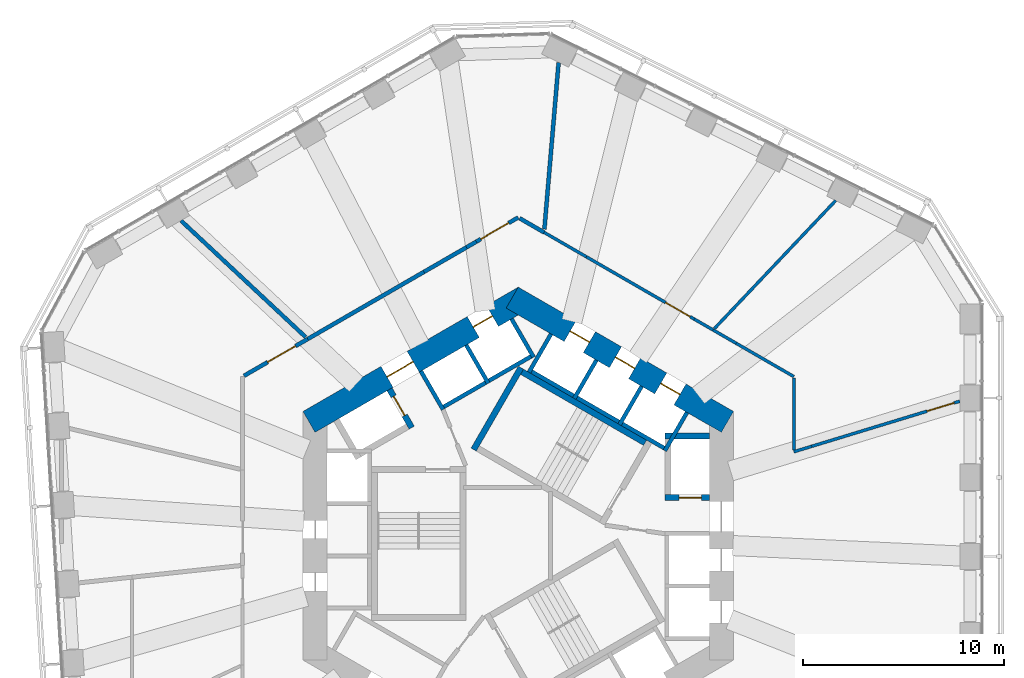
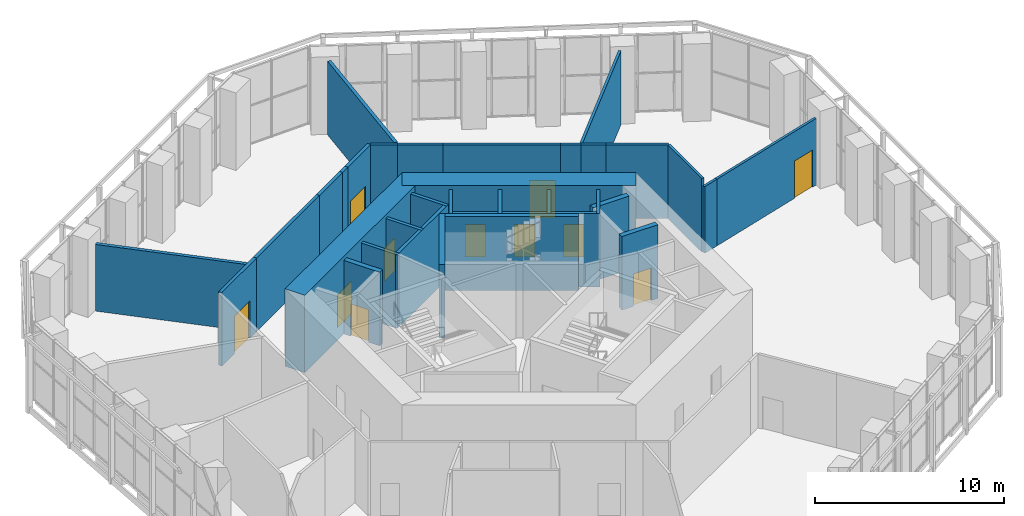
# One storey, part 15 of 19: 33 walls, 11 doors, 11 openings.
"""IFC4 building model written with IfcOpenShell, lengths in metres."""

from ifc_helpers import new_model, si_unit, direction, frame, frame_2d, origin, place, context, subcontext, project, spatial, rectangle, extrude, material, layer, layer_set, type_object, element, fill, save


model = new_model("IFC4")

# Units and contexts
model_context = context("Model", 3, precision=1e-05, world=origin(), true_north=direction((0.0, 1.0)))
body_context = subcontext(model_context, "Body", "Model", "MODEL_VIEW")
ifc_project = project(units=[si_unit("LENGTHUNIT", "METRE"), si_unit("AREAUNIT", "SQUARE_METRE"), si_unit("VOLUMEUNIT", "CUBIC_METRE"), si_unit("PLANEANGLEUNIT", "RADIAN"), si_unit("MASSUNIT", "GRAM", prefix="KILO")], contexts=[model_context])

# Site, building, storey
site_placement = place(None, origin())
site = spatial("IfcSite", under=ifc_project, at=site_placement, CompositionType="ELEMENT")
building_placement = place(site_placement, origin())
building = spatial("IfcBuilding", under=site, at=building_placement, Name="Vanh Sen Convention Tower", CompositionType="ELEMENT")
storey_placement = place(building_placement, frame((0.0, 0.0, 39.0)))
storey = spatial("IfcBuildingStorey", under=building, at=storey_placement, Name="L06", CompositionType="ELEMENT", Elevation=39.0)

# Wall, openings, doors
ifc_material_1 = material(Name="Concrete C80/95", Category="concrete")
ifc_layer_1 = layer(ifc_material_1, 1.199951171875)
ifc_layer_set_1 = layer_set([ifc_layer_1], Name="Concrete C80/95")
wall_type_1 = type_object("IfcWallType", Name="Core outer wall 1200 C80/95", PredefinedType="SHEAR", material=ifc_layer_set_1)
wall_1_placement = place(storey_placement, frame((10.39990234375, 5.657958984375, 0.0), z_axis=(0.0, 0.0, 1.0), x_axis=(-0.866021384402, 0.500006961711, 0.0)))
wall_1 = element("IfcWall", 1, at=wall_1_placement, inside=storey, type_object=wall_type_1, Name="Core wall face NE L06", PredefinedType="SHEAR", context=body_context, shape_type="SweptSolid", body=[
    extrude(rectangle(XDim=12.355224609375, YDim=1.199951171875, at=frame_2d((6.177734375, 0.0))), origin(), (0.0, 0.0, 1.0), 5.0),
])
opening_1_placement = place(wall_1_placement, frame((2.727783203125, 0.0, 0.0)))
opening_1 = element("IfcOpeningElement", 2, at=opening_1_placement, cuts=wall_1, Name="Opening LD-LR3", PredefinedType="OPENING", context=body_context, shape_type="SweptSolid", body=[
    extrude(rectangle(XDim=1.10009765625, YDim=2.10009765625, at=frame_2d((0.550048828125, 1.050048828125))), frame((0.0, 0.60986328125, 0.0), z_axis=(0.0, -1.0, 0.0), x_axis=(1.0, 0.0, 0.0)), (0.0, 0.0, 1.0), 1.219970703125),
])
opening_2_placement = place(wall_1_placement, frame((5.32763671875, 0.0, 0.0)))
opening_2 = element("IfcOpeningElement", 3, at=opening_2_placement, cuts=wall_1, Name="Opening LD-LR4", PredefinedType="OPENING", context=body_context, shape_type="SweptSolid", body=[
    extrude(rectangle(XDim=1.10009765625, YDim=2.10009765625, at=frame_2d((0.550048828125, 1.050048828125))), frame((0.0, 0.60986328125, 0.0), z_axis=(0.0, -1.0, 0.0), x_axis=(1.0, 0.0, 0.0)), (0.0, 0.0, 1.0), 1.219970703125),
])
opening_3_placement = place(wall_1_placement, frame((7.927734375, 0.0, 0.0)))
opening_3 = element("IfcOpeningElement", 4, at=opening_3_placement, cuts=wall_1, Name="Opening LD-LR5", PredefinedType="OPENING", context=body_context, shape_type="SweptSolid", body=[
    extrude(rectangle(XDim=1.10009765625, YDim=2.10009765625, at=frame_2d((0.550048828125, 1.050048828125))), frame((0.0, 0.60986328125, 0.0), z_axis=(0.0, -1.0, 0.0), x_axis=(1.0, 0.0, 0.0)), (0.0, 0.0, 1.0), 1.219970703125),
])
ifc_material_2 = material(Name="Stainless steel", Category="steel")
door_type_1 = type_object("IfcDoorType", Name="Lift landing door 1100", OperationType="DOUBLE_DOOR_SLIDING", PredefinedType="DOOR", material=ifc_material_2)
door_1_placement = place(opening_1_placement, origin())
door_1 = element("IfcDoor", 5, at=door_1_placement, inside=storey, type_object=door_type_1, Name="Lift LR3 landing door LD-LR3", OperationType="DOUBLE_DOOR_SLIDING", OverallHeight=2.10009765625, OverallWidth=1.10009765625, PredefinedType="DOOR", context=body_context, shape_type="SweptSolid", body=[
    extrude(rectangle(XDim=1.10009765625, YDim=2.10009765625, at=frame_2d((0.550048828125, 1.050048828125))), frame((0.0, 0.02490234375, 0.0), z_axis=(0.0, -1.0, 0.0), x_axis=(1.0, 0.0, 0.0)), (0.0, 0.0, 1.0), 0.050048828125),
])
fill(opening_1, door_1)
door_2_placement = place(opening_2_placement, origin())
door_2 = element("IfcDoor", 6, at=door_2_placement, inside=storey, type_object=door_type_1, Name="Lift LR4 landing door LD-LR4", OperationType="DOUBLE_DOOR_SLIDING", OverallHeight=2.10009765625, OverallWidth=1.10009765625, PredefinedType="DOOR", context=body_context, shape_type="SweptSolid", body=[
    extrude(rectangle(XDim=1.10009765625, YDim=2.10009765625, at=frame_2d((0.550048828125, 1.050048828125))), frame((0.0, 0.02490234375, 0.0), z_axis=(0.0, -1.0, 0.0), x_axis=(1.0, 0.0, 0.0)), (0.0, 0.0, 1.0), 0.050048828125),
])
fill(opening_2, door_2)
door_3_placement = place(opening_3_placement, origin())
door_3 = element("IfcDoor", 7, at=door_3_placement, inside=storey, type_object=door_type_1, Name="Lift LR5 landing door LD-LR5", OperationType="DOUBLE_DOOR_SLIDING", OverallHeight=2.10009765625, OverallWidth=1.10009765625, PredefinedType="DOOR", context=body_context, shape_type="SweptSolid", body=[
    extrude(rectangle(XDim=1.10009765625, YDim=2.10009765625, at=frame_2d((0.550048828125, 1.050048828125))), frame((0.0, 0.02490234375, 0.0), z_axis=(0.0, -1.0, 0.0), x_axis=(1.0, 0.0, 0.0)), (0.0, 0.0, 1.0), 0.050048828125),
])
fill(opening_3, door_3)

wall_2_placement = place(storey_placement, frame((0.300048828125, 11.835693359375, 0.0), z_axis=(0.0, 0.0, 1.0), x_axis=(-0.866021384402, -0.500006961711, 0.0)))
wall_2 = element("IfcWall", 8, at=wall_2_placement, inside=storey, type_object=wall_type_1, Name="Core wall face NW L06", PredefinedType="SHEAR", context=body_context, shape_type="SweptSolid", body=[
    extrude(rectangle(XDim=12.355224609375, YDim=1.199951171875, at=frame_2d((6.177734375, 0.0))), origin(), (0.0, 0.0, 1.0), 5.0),
])
opening_4_placement = place(wall_2_placement, frame((6.377685546875, 0.0, 0.0)))
opening_4 = element("IfcOpeningElement", 9, at=opening_4_placement, cuts=wall_2, Name="Opening D06002", PredefinedType="OPENING", context=body_context, shape_type="SweptSolid", body=[
    extrude(rectangle(XDim=1.5, YDim=2.10009765625, at=frame_2d((0.75, 1.050048828125))), frame((0.0, 0.60986328125, 0.0), z_axis=(0.0, -1.0, 0.0), x_axis=(1.0, 0.0, 0.0)), (0.0, 0.0, 1.0), 1.219970703125),
])
opening_5_placement = place(wall_2_placement, frame((1.82763671875, 0.0, 0.0)))
opening_5 = element("IfcOpeningElement", 10, at=opening_5_placement, cuts=wall_2, Name="Opening LD-LR6", PredefinedType="OPENING", context=body_context, shape_type="SweptSolid", body=[
    extrude(rectangle(XDim=1.10009765625, YDim=2.10009765625, at=frame_2d((0.550048828125, 1.050048828125))), frame((0.0, 0.60986328125, 0.0), z_axis=(0.0, -1.0, 0.0), x_axis=(1.0, 0.0, 0.0)), (0.0, 0.0, 1.0), 1.219970703125),
])
door_4_placement = place(opening_5_placement, origin())
door_4 = element("IfcDoor", 11, at=door_4_placement, inside=storey, type_object=door_type_1, Name="Lift LR6 landing door LD-LR6", OperationType="DOUBLE_DOOR_SLIDING", OverallHeight=2.10009765625, OverallWidth=1.10009765625, PredefinedType="DOOR", context=body_context, shape_type="SweptSolid", body=[
    extrude(rectangle(XDim=1.10009765625, YDim=2.10009765625, at=frame_2d((0.550048828125, 1.050048828125))), frame((0.0, 0.02490234375, 0.0), z_axis=(0.0, -1.0, 0.0), x_axis=(1.0, 0.0, 0.0)), (0.0, 0.0, 1.0), 0.050048828125),
])
fill(opening_5, door_4)
ifc_material_3 = material(Name="Steel S355", Category="steel")
door_type_2 = type_object("IfcDoorType", Name="Stair lobby door 1500", OperationType="DOUBLE_DOOR_SINGLE_SWING", PredefinedType="DOOR", material=ifc_material_3)
door_5_placement = place(opening_4_placement, origin())
door_5 = element("IfcDoor", 12, at=door_5_placement, inside=storey, type_object=door_type_2, Name="Stair lobby door D06002", OperationType="DOUBLE_DOOR_SINGLE_SWING", OverallHeight=2.10009765625, OverallWidth=1.5, PredefinedType="DOOR", context=body_context, shape_type="SweptSolid", body=[
    extrude(rectangle(XDim=1.5, YDim=2.10009765625, at=frame_2d((0.75, 1.050048828125))), frame((0.0, 0.02490234375, 0.0), z_axis=(0.0, -1.0, 0.0), x_axis=(1.0, 0.0, 0.0)), (0.0, 0.0, 1.0), 0.050048828125),
])
fill(opening_4, door_5)

# Wall, opening, door
ifc_material_4 = material(Name="Concrete C60/75", Category="concrete")
ifc_layer_2 = layer(ifc_material_4, 0.300048828125)
ifc_layer_set_2 = layer_set([ifc_layer_2], Name="Concrete C60/75")
wall_type_2 = type_object("IfcWallType", Name="Fire-fighting lift shaft wall 300", PredefinedType="SHEAR", material=ifc_layer_set_2)
wall_3_placement = place(storey_placement, frame((7.300048828125, 1.89990234375, 0.0), z_axis=(0.0, 0.0, 1.0), x_axis=(1.0, 0.0, 0.0)))
wall_3 = element("IfcWall", 13, at=wall_3_placement, inside=storey, type_object=wall_type_2, Name="Fire-fighting lift shaft wall L06", PredefinedType="SHEAR", context=body_context, shape_type="SweptSolid", body=[
    extrude(rectangle(XDim=2.199951171875, YDim=0.300048828125, at=frame_2d((1.10009765625, 0.0))), origin(), (0.0, 0.0, 1.0), 4.75),
])
opening_6_placement = place(wall_3_placement, frame((0.699951171875, 0.0, 0.0)))
opening_6 = element("IfcOpeningElement", 14, at=opening_6_placement, cuts=wall_3, Name="Opening LD-FF1", PredefinedType="OPENING", context=body_context, shape_type="SweptSolid", body=[
    extrude(rectangle(XDim=1.10009765625, YDim=2.10009765625, at=frame_2d((0.550048828125, 1.050048828125))), frame((0.0, 0.159912109375, 0.0), z_axis=(0.0, -1.0, 0.0), x_axis=(1.0, 0.0, 0.0)), (0.0, 0.0, 1.0), 0.320068359375),
])
door_type_3 = type_object("IfcDoorType", Name="Fire-fighting lift landing door 1100", OperationType="DOUBLE_DOOR_SLIDING", PredefinedType="DOOR", material=ifc_material_2)
door_6_placement = place(opening_6_placement, origin())
door_6 = element("IfcDoor", 15, at=door_6_placement, inside=storey, type_object=door_type_3, Name="Lift FF1 landing door LD-FF1", OperationType="DOUBLE_DOOR_SLIDING", OverallHeight=2.10009765625, OverallWidth=1.10009765625, PredefinedType="DOOR", context=body_context, shape_type="SweptSolid", body=[
    extrude(rectangle(XDim=1.10009765625, YDim=2.10009765625, at=frame_2d((0.550048828125, 1.050048828125))), frame((0.0, 0.02490234375, 0.0), z_axis=(0.0, -1.0, 0.0), x_axis=(1.0, 0.0, 0.0)), (0.0, 0.0, 1.0), 0.050048828125),
])
fill(opening_6, door_6)

# Wall
wall_4_placement = place(storey_placement, frame((7.300048828125, 4.949951171875, 0.0), z_axis=(0.0, 0.0, 1.0), x_axis=(1.0, 0.0, 0.0)))
element("IfcWall", 16, at=wall_4_placement, inside=storey, type_object=wall_type_2, Name="Fire-fighting lift shaft wall L06", PredefinedType="SHEAR", context=body_context, shape_type="SweptSolid", body=[
    extrude(rectangle(XDim=2.199951171875, YDim=0.300048828125, at=frame_2d((1.10009765625, 0.0))), origin(), (0.0, 0.0, 1.0), 4.75),
])

# Wall, opening, door
wall_5_placement = place(storey_placement, frame((-5.29541015625, 5.3720703125, 0.0), z_axis=(0.0, 0.0, 1.0), x_axis=(-0.500077893725, 0.86598042715, 0.0)))
wall_5 = element("IfcWall", 17, at=wall_5_placement, inside=storey, type_object=wall_type_2, Name="Fire-fighting lift shaft wall L06", PredefinedType="SHEAR", context=body_context, shape_type="SweptSolid", body=[
    extrude(rectangle(XDim=2.199951171875, YDim=0.300048828125, at=frame_2d((1.10009765625, 0.0))), origin(), (0.0, 0.0, 1.0), 4.75),
])
opening_7_placement = place(wall_5_placement, frame((0.699951171875, 0.0, 0.0)))
opening_7 = element("IfcOpeningElement", 18, at=opening_7_placement, cuts=wall_5, Name="Opening LD-FF2", PredefinedType="OPENING", context=body_context, shape_type="SweptSolid", body=[
    extrude(rectangle(XDim=1.10009765625, YDim=2.10009765625, at=frame_2d((0.550048828125, 1.050048828125))), frame((0.0, 0.159912109375, 0.0), z_axis=(0.0, -1.0, 0.0), x_axis=(1.0, 0.0, 0.0)), (0.0, 0.0, 1.0), 0.320068359375),
])
door_7_placement = place(opening_7_placement, origin())
door_7 = element("IfcDoor", 19, at=door_7_placement, inside=storey, type_object=door_type_3, Name="Lift FF2 landing door LD-FF2", OperationType="DOUBLE_DOOR_SLIDING", OverallHeight=2.10009765625, OverallWidth=1.10009765625, PredefinedType="DOOR", context=body_context, shape_type="SweptSolid", body=[
    extrude(rectangle(XDim=1.10009765625, YDim=2.10009765625, at=frame_2d((0.550048828125, 1.050048828125))), frame((0.0, 0.02490234375, 0.0), z_axis=(0.0, -1.0, 0.0), x_axis=(1.0, 0.0, 0.0)), (0.0, 0.0, 1.0), 0.050048828125),
])
fill(opening_7, door_7)

# Walls
ifc_material_5 = material(Name="Concrete C40/50", Category="concrete")
ifc_layer_3 = layer(ifc_material_5, 0.199951171875)
ifc_layer_set_3 = layer_set([ifc_layer_3], Name="Concrete C40/50")
wall_type_3 = type_object("IfcWallType", Name="Lift shaft wall 200", PredefinedType="PARTITIONING", material=ifc_layer_set_3)
wall_6_placement = place(storey_placement, frame((7.423828125, 4.258544921875, 0.0), z_axis=(0.0, 0.0, 1.0), x_axis=(-0.866026010844, 0.49999894854, 0.0)))
element("IfcWall", 20, at=wall_6_placement, inside=storey, type_object=wall_type_3, Name="Lift shaft wall L06", PredefinedType="PARTITIONING", context=body_context, shape_type="SweptSolid", body=[
    extrude(rectangle(XDim=8.0, YDim=0.199951171875, at=frame_2d((4.0, 0.0))), origin(), (0.0, 0.0, 1.0), 4.75),
])
for number, where, z_axis, x_axis, name in (
    (21, (7.287353515625, 4.221923828125, 0.0), (0.0, 0.0, 1.0), (0.499946605688, 0.86605622881, 0.0), "Lift shaft wall L06"),
    (22, (5.03564453125, 5.52197265625, 0.0), (0.0, 0.0, 1.0), (0.499946605688, 0.86605622881, 0.0), "Lift shaft wall L06"),
    (23, (2.783935546875, 6.822021484375, 0.0), (0.0, 0.0, 1.0), (0.50002983664, 0.866008176907, 0.0), "Lift shaft wall L06"),
    (24, (0.5322265625, 8.1220703125, 0.0), (0.0, 0.0, 1.0), (0.500077893725, 0.86598042715, 0.0), "Lift shaft wall L06"),
):
    element("IfcWall", number, at=place(storey_placement, frame(where, z_axis=z_axis, x_axis=x_axis)), inside=storey, type_object=wall_type_3, Name=name, PredefinedType="PARTITIONING", context=body_context, shape_type="SweptSolid", body=[
        extrude(rectangle(XDim=2.199951171875, YDim=0.199951171875, at=frame_2d((1.10009765625, 0.0))), origin(), (0.0, 0.0, 1.0), 4.75),
    ])
wall_7_placement = place(storey_placement, frame((0.80322265625, 9.008544921875, 0.0), z_axis=(0.0, 0.0, 1.0), x_axis=(-0.866028230842, -0.499995103361, 0.0)))
element("IfcWall", 25, at=wall_7_placement, inside=storey, type_object=wall_type_3, Name="Lift shaft wall L06", PredefinedType="PARTITIONING", context=body_context, shape_type="SweptSolid", body=[
    extrude(rectangle(XDim=5.39990234375, YDim=0.199951171875, at=frame_2d((2.699951171875, 0.0))), origin(), (0.0, 0.0, 1.0), 4.75),
])
wall_8_placement = place(storey_placement, frame((0.7666015625, 8.8720703125, 0.0), z_axis=(0.0, 0.0, 1.0), x_axis=(-0.499994660107, 0.866028486751, 0.0)))
element("IfcWall", 26, at=wall_8_placement, inside=storey, type_object=wall_type_3, Name="Lift shaft wall L06", PredefinedType="PARTITIONING", context=body_context, shape_type="SweptSolid", body=[
    extrude(rectangle(XDim=2.19970703125, YDim=0.199951171875, at=frame_2d((1.099853515625, 0.0))), origin(), (0.0, 0.0, 1.0), 4.75),
])
for number, where, z_axis, x_axis, name in (
    (27, (-1.48486328125, 7.572021484375, 0.0), (0.0, 0.0, 1.0), (-0.50002983664, 0.866008176907, 0.0), "Lift shaft wall L06"),
    (28, (-3.736572265625, 6.27197265625, 0.0), (0.0, 0.0, 1.0), (-0.50002983664, 0.866008176907, 0.0), "Lift shaft wall L06"),
):
    element("IfcWall", number, at=place(storey_placement, frame(where, z_axis=z_axis, x_axis=x_axis)), inside=storey, type_object=wall_type_3, Name=name, PredefinedType="PARTITIONING", context=body_context, shape_type="SweptSolid", body=[
        extrude(rectangle(XDim=2.199951171875, YDim=0.199951171875, at=frame_2d((1.10009765625, 0.0))), origin(), (0.0, 0.0, 1.0), 4.75),
    ])
ifc_material_6 = material(Name="Gypsum board on steel studs", Category="steel")
ifc_layer_4 = layer(ifc_material_6, 0.14990234375)
ifc_layer_set_4 = layer_set([ifc_layer_4], Name="Gypsum board on steel studs")
wall_type_4 = type_object("IfcWallType", Name="Partition 150 EI 60", PredefinedType="PARTITIONING", material=ifc_layer_set_4)
wall_9_placement = place(storey_placement, frame((14.592529296875, 4.445556640625, 0.0), z_axis=(0.0, 0.0, 1.0), x_axis=(-0.956578767646, -0.291473946159, 0.0)))
element("IfcWall", 29, at=wall_9_placement, inside=storey, type_object=wall_type_4, Name="Partition L06-031", PredefinedType="PARTITIONING", context=body_context, shape_type="SweptSolid", body=[
    extrude(rectangle(XDim=0.93310546875, YDim=0.14990234375, at=frame_2d((0.466552734375, 0.0))), origin(), (0.0, 0.0, 1.0), 4.300048828125),
])

# Wall, opening, door
wall_10_placement = place(storey_placement, frame((14.592529296875, 4.445556640625, 0.0), z_axis=(0.0, 0.0, 1.0), x_axis=(0.956592729621, 0.291428120874, 0.0)))
wall_10 = element("IfcWall", 30, at=wall_10_placement, inside=storey, type_object=wall_type_4, Name="Partition L06-032", PredefinedType="PARTITIONING", context=body_context, shape_type="SweptSolid", body=[
    extrude(rectangle(XDim=7.691162109375, YDim=0.14990234375, at=frame_2d((3.845703125, 0.0))), origin(), (0.0, 0.0, 1.0), 4.300048828125),
])
opening_8_placement = place(wall_10_placement, frame((5.991455078125, 0.0, 0.0)))
opening_8 = element("IfcOpeningElement", 31, at=opening_8_placement, cuts=wall_10, Name="Opening D06107", PredefinedType="OPENING", context=body_context, shape_type="SweptSolid", body=[
    extrude(rectangle(XDim=1.39990234375, YDim=2.39990234375, at=frame_2d((0.699951171875, 1.199951171875))), frame((0.0, 0.0849609375, 0.0), z_axis=(0.0, -1.0, 0.0), x_axis=(1.0, 0.0, 0.0)), (0.0, 0.0, 1.0), 0.169921875),
])
ifc_material_7 = material(Name="Timber door in steel frame", Category="steel")
door_type_4 = type_object("IfcDoorType", Name="Double door 1400 EI 30", OperationType="SINGLE_SWING_LEFT", PredefinedType="DOOR", material=ifc_material_7)
door_8_placement = place(opening_8_placement, origin())
door_8 = element("IfcDoor", 32, at=door_8_placement, inside=storey, type_object=door_type_4, Name="Double door D06107", OperationType="SINGLE_SWING_LEFT", OverallHeight=2.39990234375, OverallWidth=1.39990234375, PredefinedType="DOOR", context=body_context, shape_type="SweptSolid", body=[
    extrude(rectangle(XDim=1.39990234375, YDim=2.39990234375, at=frame_2d((0.699951171875, 1.199951171875))), frame((0.0, 0.02490234375, 0.0), z_axis=(0.0, -1.0, 0.0), x_axis=(1.0, 0.0, 0.0)), (0.0, 0.0, 1.0), 0.050048828125),
])
fill(opening_8, door_8)

# Walls
wall_11_placement = place(storey_placement, frame((13.699951171875, 7.849609375, 0.0), z_axis=(0.0, 0.0, 1.0), x_axis=(0.0, -1.0, 0.0)))
element("IfcWall", 33, at=wall_11_placement, inside=storey, type_object=wall_type_4, Name="Partition L06-034", PredefinedType="PARTITIONING", context=body_context, shape_type="SweptSolid", body=[
    extrude(rectangle(XDim=3.576171875, YDim=0.14990234375, at=frame_2d((1.7880859375, 0.0))), origin(), (0.0, 0.0, 1.0), 4.75),
])
wall_12_placement = place(storey_placement, frame((13.699951171875, 7.909423828125, 0.0), z_axis=(0.0, 0.0, 1.0), x_axis=(-0.866014848099, 0.500018282537, 0.0)))
element("IfcWall", 34, at=wall_12_placement, inside=storey, type_object=wall_type_4, Name="Partition L06-035", PredefinedType="PARTITIONING", context=body_context, shape_type="SweptSolid", body=[
    extrude(rectangle(XDim=3.31005859375, YDim=0.14990234375, at=frame_2d((1.655029296875, 0.0))), origin(), (0.0, 0.0, 1.0), 4.75),
])
wall_13_placement = place(storey_placement, frame((10.83349609375, 9.564453125, 0.0), z_axis=(0.0, 0.0, 1.0), x_axis=(-0.865989200783, 0.500062700197, 0.0)))
element("IfcWall", 35, at=wall_13_placement, inside=storey, type_object=wall_type_4, Name="Partition L06-036", PredefinedType="PARTITIONING", context=body_context, shape_type="SweptSolid", body=[
    extrude(rectangle(XDim=1.324951171875, YDim=0.14990234375, at=frame_2d((0.66259765625, 0.0))), origin(), (0.0, 0.0, 1.0), 4.75),
])
wall_14_placement = place(storey_placement, frame((9.68603515625, 10.22705078125, 0.0), z_axis=(0.0, 0.0, 1.0), x_axis=(-0.866065156741, 0.499931139538, 0.0)))
element("IfcWall", 36, at=wall_14_placement, inside=storey, type_object=wall_type_4, Name="Partition L06-040", PredefinedType="PARTITIONING", context=body_context, shape_type="SweptSolid", body=[
    extrude(rectangle(XDim=1.080322265625, YDim=0.14990234375, at=frame_2d((0.5400390625, 0.0))), origin(), (0.0, 0.0, 1.0), 4.75),
])
wall_15_placement = place(storey_placement, frame((9.754638671875, 10.299560546875, 0.0), z_axis=(0.0, 0.0, 1.0), x_axis=(0.687615543878, 0.72607497121, 0.0)))
element("IfcWall", 37, at=wall_15_placement, inside=storey, type_object=wall_type_4, Name="Partition L06-041", PredefinedType="PARTITIONING", context=body_context, shape_type="SweptSolid", body=[
    extrude(rectangle(XDim=8.76025390625, YDim=0.14990234375, at=frame_2d((4.380126953125, 0.0))), origin(), (0.0, 0.0, 1.0), 4.75),
])

# Wall, opening, door
wall_16_placement = place(storey_placement, frame((8.75048828125, 10.76708984375, 0.0), z_axis=(0.0, 0.0, 1.0), x_axis=(-0.866010341957, 0.500026086943, 0.0)))
wall_16 = element("IfcWall", 38, at=wall_16_placement, inside=storey, type_object=wall_type_4, Name="Partition L06-042", PredefinedType="PARTITIONING", context=body_context, shape_type="SweptSolid", body=[
    extrude(rectangle(XDim=6.194580078125, YDim=0.14990234375, at=frame_2d((3.09716796875, 0.0))), origin(), (0.0, 0.0, 1.0), 4.75),
])
opening_9_placement = place(wall_16_placement, frame((0.25, 0.0, 0.0)))
opening_9 = element("IfcOpeningElement", 39, at=opening_9_placement, cuts=wall_16, Name="Opening D06109", PredefinedType="OPENING", context=body_context, shape_type="SweptSolid", body=[
    extrude(rectangle(XDim=1.39990234375, YDim=2.39990234375, at=frame_2d((0.699951171875, 1.199951171875))), frame((0.0, 0.0849609375, 0.0), z_axis=(0.0, -1.0, 0.0), x_axis=(1.0, 0.0, 0.0)), (0.0, 0.0, 1.0), 0.169921875),
])
door_9_placement = place(opening_9_placement, origin())
door_9 = element("IfcDoor", 40, at=door_9_placement, inside=storey, type_object=door_type_4, Name="Double door D06109", OperationType="SINGLE_SWING_LEFT", OverallHeight=2.39990234375, OverallWidth=1.39990234375, PredefinedType="DOOR", context=body_context, shape_type="SweptSolid", body=[
    extrude(rectangle(XDim=1.39990234375, YDim=2.39990234375, at=frame_2d((0.699951171875, 1.199951171875))), frame((0.0, 0.02490234375, 0.0), z_axis=(0.0, -1.0, 0.0), x_axis=(1.0, 0.0, 0.0)), (0.0, 0.0, 1.0), 0.050048828125),
])
fill(opening_9, door_9)

# Wall
wall_17_placement = place(storey_placement, frame((1.28662109375, 15.076904296875, 0.0), z_axis=(0.0, 0.0, 1.0), x_axis=(0.865965872932, -0.500103096288, 0.0)))
element("IfcWall", 41, at=wall_17_placement, inside=storey, type_object=wall_type_4, Name="Partition L06-045", PredefinedType="PARTITIONING", context=body_context, shape_type="SweptSolid", body=[
    extrude(rectangle(XDim=2.42431640625, YDim=0.14990234375, at=frame_2d((1.212158203125, 0.0))), origin(), (0.0, 0.0, 1.0), 4.75),
])

# Wall, opening, door
ifc_material_8 = material(Name="Concrete C20/25", Category="concrete")
ifc_layer_5 = layer(ifc_material_8, 0.199951171875)
ifc_layer_set_5 = layer_set([ifc_layer_5], Name="Concrete C20/25")
wall_type_5 = type_object("IfcWallType", Name="Partition 200 EI 120", PredefinedType="PARTITIONING", material=ifc_layer_set_5)
wall_18_placement = place(storey_placement, frame((-10.464599609375, 9.777587890625, 0.0), z_axis=(0.0, 0.0, 1.0), x_axis=(-0.865998750002, -0.500046162864, 0.0)))
wall_18 = element("IfcWall", 42, at=wall_18_placement, inside=storey, type_object=wall_type_5, Name="Partition L06-037", PredefinedType="PARTITIONING", context=body_context, shape_type="SweptSolid", body=[
    extrude(rectangle(XDim=3.656005859375, YDim=0.199951171875, at=frame_2d((1.828125, 0.0))), origin(), (0.0, 0.0, 1.0), 4.75),
])
opening_10_placement = place(wall_18_placement, frame((0.699951171875, 0.0, 0.0)))
opening_10 = element("IfcOpeningElement", 43, at=opening_10_placement, cuts=wall_18, Name="Opening D06108", PredefinedType="OPENING", context=body_context, shape_type="SweptSolid", body=[
    extrude(rectangle(XDim=1.60009765625, YDim=2.39990234375, at=frame_2d((0.800048828125, 1.199951171875))), frame((0.0, 0.10986328125, 0.0), z_axis=(0.0, -1.0, 0.0), x_axis=(1.0, 0.0, 0.0)), (0.0, 0.0, 1.0), 0.219970703125),
])
door_type_5 = type_object("IfcDoorType", Name="Double door 1600 EI 60", OperationType="DOUBLE_DOOR_SINGLE_SWING", PredefinedType="DOOR", material=ifc_material_7)
door_10_placement = place(opening_10_placement, origin())
door_10 = element("IfcDoor", 44, at=door_10_placement, inside=storey, type_object=door_type_5, Name="Double door D06108", OperationType="DOUBLE_DOOR_SINGLE_SWING", OverallHeight=2.39990234375, OverallWidth=1.60009765625, PredefinedType="DOOR", context=body_context, shape_type="SweptSolid", body=[
    extrude(rectangle(XDim=1.60009765625, YDim=2.39990234375, at=frame_2d((0.800048828125, 1.199951171875))), frame((0.0, 0.02490234375, 0.0), z_axis=(0.0, -1.0, 0.0), x_axis=(1.0, 0.0, 0.0)), (0.0, 0.0, 1.0), 0.050048828125),
])
fill(opening_10, door_10)

# Walls
wall_19_placement = place(storey_placement, frame((-10.464599609375, 9.777587890625, 0.0), z_axis=(0.0, 0.0, 1.0), x_axis=(0.866019272134, 0.50001062018, 0.0)))
element("IfcWall", 45, at=wall_19_placement, inside=storey, type_object=wall_type_5, Name="Partition L06-038", PredefinedType="PARTITIONING", context=body_context, shape_type="SweptSolid", body=[
    extrude(rectangle(XDim=6.673583984375, YDim=0.199951171875, at=frame_2d((3.3369140625, 0.0))), origin(), (0.0, 0.0, 1.0), 4.75),
])
wall_20_placement = place(storey_placement, frame((-10.56689453125, 9.873291015625, 0.0), z_axis=(0.0, 0.0, 1.0), x_axis=(-0.730670474687, 0.682730296252, 0.0)))
element("IfcWall", 46, at=wall_20_placement, inside=storey, type_object=wall_type_5, Name="Partition L06-039", PredefinedType="PARTITIONING", context=body_context, shape_type="SweptSolid", body=[
    extrude(rectangle(XDim=8.484375, YDim=0.199951171875, at=frame_2d((4.2421875, 0.0))), origin(), (0.0, 0.0, 1.0), 4.300048828125),
])
wall_21_placement = place(storey_placement, frame((-4.68505859375, 13.114501953125, 0.0), z_axis=(0.0, 0.0, 1.0), x_axis=(0.86602886455, 0.49999400573, 0.0)))
element("IfcWall", 47, at=wall_21_placement, inside=storey, type_object=wall_type_5, Name="Partition L06-043", PredefinedType="PARTITIONING", context=body_context, shape_type="SweptSolid", body=[
    extrude(rectangle(XDim=2.4384765625, YDim=0.199951171875, at=frame_2d((1.21923828125, 0.0))), origin(), (0.0, 0.0, 1.0), 4.75),
])
wall_22_placement = place(storey_placement, frame((-2.5732421875, 14.333740234375, 0.0), z_axis=(0.0, 0.0, 1.0), x_axis=(0.866040790738, 0.499973348067, 0.0)))
element("IfcWall", 48, at=wall_22_placement, inside=storey, type_object=wall_type_5, Name="Partition L06-044", PredefinedType="PARTITIONING", context=body_context, shape_type="SweptSolid", body=[
    extrude(rectangle(XDim=0.5615234375, YDim=0.199951171875, at=frame_2d((0.28076171875, 0.0))), origin(), (0.0, 0.0, 1.0), 4.75),
])
wall_23_placement = place(storey_placement, frame((1.300048828125, 15.236328125, 0.0), z_axis=(0.0, 0.0, 1.0), x_axis=(0.085009958898, 0.996380101612, 0.0)))
element("IfcWall", 49, at=wall_23_placement, inside=storey, type_object=wall_type_5, Name="Partition L06-046", PredefinedType="PARTITIONING", context=body_context, shape_type="SweptSolid", body=[
    extrude(rectangle(XDim=8.31982421875, YDim=0.199951171875, at=frame_2d((4.159912109375, 0.0))), origin(), (0.0, 0.0, 1.0), 4.75),
])
wall_24_placement = place(storey_placement, frame((0.0693359375, 15.779541015625, 0.0), z_axis=(0.0, 0.0, 1.0), x_axis=(0.866075676255, -0.499912915416, 0.0)))
element("IfcWall", 50, at=wall_24_placement, inside=storey, type_object=wall_type_5, Name="Partition L06-047", PredefinedType="PARTITIONING", context=body_context, shape_type="SweptSolid", body=[
    extrude(rectangle(XDim=1.405517578125, YDim=0.199951171875, at=frame_2d((0.70263671875, 0.0))), origin(), (0.0, 0.0, 1.0), 4.75),
])

# Wall, opening, door
wall_25_placement = place(storey_placement, frame((0.0, 15.819580078125, 0.0), z_axis=(0.0, 0.0, 1.0), x_axis=(-0.86598987286, -0.500061536317, 0.0)))
wall_25 = element("IfcWall", 51, at=wall_25_placement, inside=storey, type_object=wall_type_5, Name="Partition L06-048", PredefinedType="PARTITIONING", context=body_context, shape_type="SweptSolid", body=[
    extrude(rectangle(XDim=2.409912109375, YDim=0.199951171875, at=frame_2d((1.205078125, 0.0))), origin(), (0.0, 0.0, 1.0), 4.75),
])
opening_11_placement = place(wall_25_placement, frame((0.550048828125, 0.0, 0.0)))
opening_11 = element("IfcOpeningElement", 52, at=opening_11_placement, cuts=wall_25, Name="Opening D06110", PredefinedType="OPENING", context=body_context, shape_type="SweptSolid", body=[
    extrude(rectangle(XDim=1.60009765625, YDim=2.39990234375, at=frame_2d((0.800048828125, 1.199951171875))), frame((0.0, 0.10986328125, 0.0), z_axis=(0.0, -1.0, 0.0), x_axis=(1.0, 0.0, 0.0)), (0.0, 0.0, 1.0), 0.219970703125),
])
door_11_placement = place(opening_11_placement, origin())
door_11 = element("IfcDoor", 53, at=door_11_placement, inside=storey, type_object=door_type_5, Name="Double door D06110", OperationType="DOUBLE_DOOR_SINGLE_SWING", OverallHeight=2.39990234375, OverallWidth=1.60009765625, PredefinedType="DOOR", context=body_context, shape_type="SweptSolid", body=[
    extrude(rectangle(XDim=1.60009765625, YDim=2.39990234375, at=frame_2d((0.800048828125, 1.199951171875))), frame((0.0, 0.02490234375, 0.0), z_axis=(0.0, -1.0, 0.0), x_axis=(1.0, 0.0, 0.0)), (0.0, 0.0, 1.0), 0.050048828125),
])
fill(opening_11, door_11)

# Walls
ifc_layer_6 = layer(ifc_material_4, 0.300048828125)
ifc_layer_set_6 = layer_set([ifc_layer_6], Name="Concrete C60/75")
wall_type_6 = type_object("IfcWallType", Name="Stair wall 300", PredefinedType="SHEAR", material=ifc_layer_set_6)
wall_26_placement = place(storey_placement, frame((-2.216064453125, 4.28173828125, 0.0), z_axis=(0.0, 0.0, 1.0), x_axis=(0.499977259774, 0.866038532462, 0.0)))
element("IfcWall", 54, at=wall_26_placement, inside=storey, type_object=wall_type_6, Name="Stair wall L06", PredefinedType="SHEAR", context=body_context, shape_type="SweptSolid", body=[
    extrude(rectangle(XDim=4.699951171875, YDim=0.300048828125, at=frame_2d((2.35009765625, 0.0))), origin(), (0.0, 0.0, 1.0), 4.75),
])
wall_27_placement = place(storey_placement, frame((6.302978515625, 4.6171875, 0.0), z_axis=(0.0, 0.0, 1.0), x_axis=(-0.866027801685, 0.499995846692, 0.0)))
element("IfcWall", 55, at=wall_27_placement, inside=storey, type_object=wall_type_6, Name="Stair wall L06", PredefinedType="SHEAR", context=body_context, shape_type="SweptSolid", body=[
    extrude(rectangle(XDim=7.06005859375, YDim=0.300048828125, at=frame_2d((3.530029296875, 0.0))), origin(), (0.0, 0.0, 1.0), 4.75),
])

save(model, "model.ifc")
